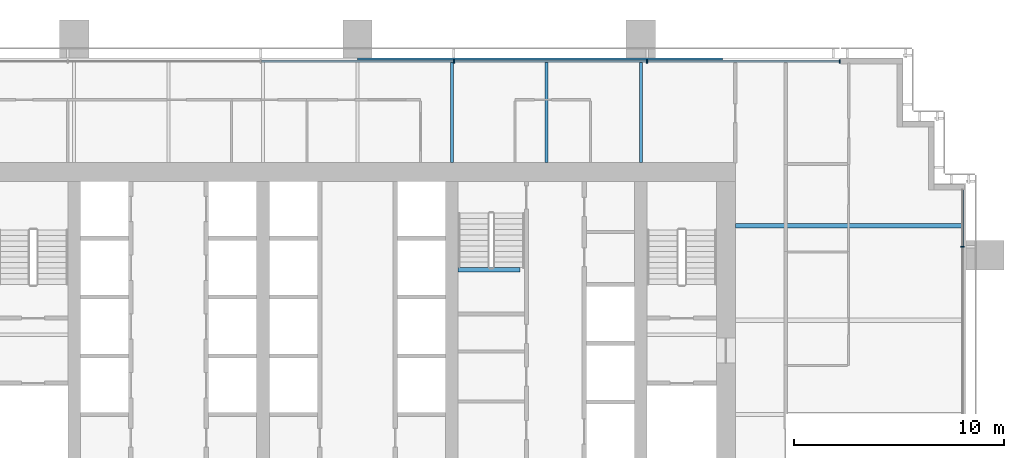
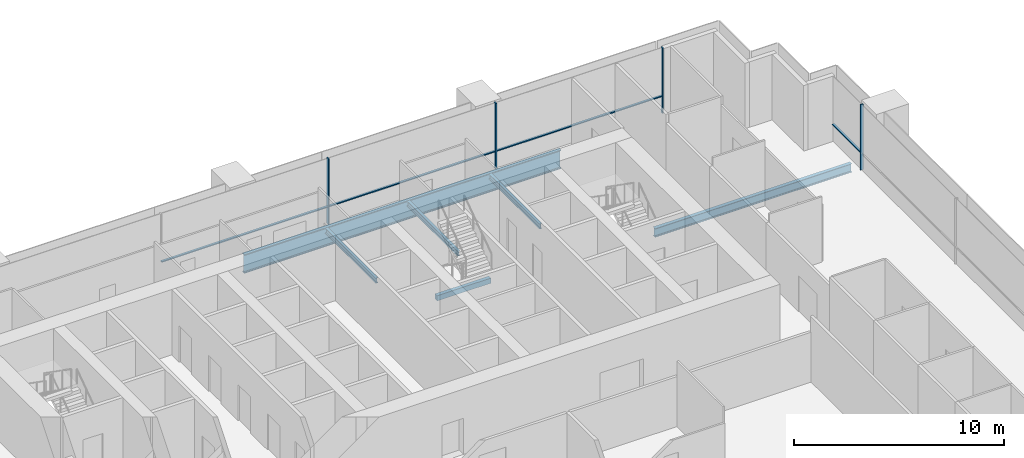
# One storey, part 8 of 17: 8 members, 6 beams, 2 elements without a shape of their own.
"""IFC4 building model written with IfcOpenShell, lengths in metres."""

from ifc_helpers import new_model, si_unit, direction, frame, origin, origin_2d, place, context, subcontext, project, spatial, rectangle, i_section, extrude, material, material_profile, profile_set, type_object, element, aggregate, save


model = new_model("IFC4")

# Units and contexts
model_context = context("Model", 3, precision=1e-05, world=origin(), true_north=direction((0.0, 1.0)))
body_context = subcontext(model_context, "Body", "Model", "MODEL_VIEW")
ifc_project = project(units=[si_unit("LENGTHUNIT", "METRE"), si_unit("AREAUNIT", "SQUARE_METRE"), si_unit("VOLUMEUNIT", "CUBIC_METRE"), si_unit("PLANEANGLEUNIT", "RADIAN"), si_unit("MASSUNIT", "GRAM", prefix="KILO")], contexts=[model_context])

# Site, building, storey
site_placement = place(None, origin())
site = spatial("IfcSite", under=ifc_project, at=site_placement, CompositionType="ELEMENT")
building_placement = place(site_placement, origin())
building = spatial("IfcBuilding", under=site, at=building_placement, Name="Rattan Terrace Tower", CompositionType="ELEMENT")
storey_placement = place(building_placement, frame((0.0, 0.0, 146.10009765625)))
storey = spatial("IfcBuildingStorey", under=building, at=storey_placement, Name="L33", CompositionType="ELEMENT", Elevation=146.10009765625)

# Beam
ifc_material_1 = material(Name="Concrete C40/50", Category="concrete")
ifc_material_profile_1 = material_profile(ifc_material_1, rectangle(XDim=0.199951171875, YDim=0.300048828125, at=origin_2d()), Name="RC 200x300")
ifc_profile_set_1 = profile_set([ifc_material_profile_1], Name="Concrete C40/50")
beam_type_1 = type_object("IfcBeamType", Name="Core landing beam RC 200x300", PredefinedType="BEAM", material=ifc_profile_set_1)
beam_1_placement = place(storey_placement, frame((4.800048828125, 2.39990234375, 1.64990234375), z_axis=(1.0, 0.0, 0.0), x_axis=(0.0, 1.0, 0.0)))
element("IfcBeam", 1, at=beam_1_placement, inside=storey, type_object=beam_type_1, Name="st-S3-L33 landing 1 edge beam", PredefinedType="BEAM", context=body_context, shape_type="SweptSolid", body=[
    extrude(rectangle(XDim=0.199951171875, YDim=0.300048828125, at=origin_2d()), origin(), (0.0, 0.0, 1.0), 2.949951171875),
])

# Curtain wall, member
ifc_material_2 = material(Name="Aluminium and glass", Category="aluminium")
curtain_wall_type = type_object("IfcCurtainWallType", Name="Facade Unitised Curtain Wall", PredefinedType="NOTDEFINED", material=ifc_material_2)
curtain_wall_1_placement = place(storey_placement, origin())
curtain_wall_1 = element("IfcCurtainWall", 2, at=curtain_wall_1_placement, inside=storey, type_object=curtain_wall_type, Name="Curtain wall L33-1", PredefinedType="NOTDEFINED")
ifc_material_3 = material(Name="Aluminium", Category="aluminium")
ifc_material_profile_2 = material_profile(ifc_material_3, rectangle(XDim=0.06005859375, YDim=0.159912109375, at=origin_2d()), Name="Aluminium 60x160")
ifc_profile_set_2 = profile_set([ifc_material_profile_2], Name="Aluminium")
member_type_1 = type_object("IfcMemberType", Name="Facade CW Mullion 60x160", PredefinedType="MULLION", material=ifc_profile_set_2)
member_1_placement = place(storey_placement, frame((28.830078125, 3.5, 0.0), z_axis=(0.0, 0.0, 1.0), x_axis=(0.0, 1.0, 0.0)))
member_1 = element("IfcMember", 3, at=member_1_placement, type_object=member_type_1, Name="Mullion cwl-L33-001.4", PredefinedType="MULLION", context=body_context, shape_type="SweptSolid", body=[
    extrude(rectangle(XDim=0.06005859375, YDim=0.159912109375, at=origin_2d()), origin(), (0.0, 0.0, 1.0), 3.7998046875),
])

# Curtain wall, members
curtain_wall_2_placement = place(storey_placement, origin())
curtain_wall_2 = element("IfcCurtainWall", 4, at=curtain_wall_2_placement, inside=storey, type_object=curtain_wall_type, Name="Curtain wall L33-2", PredefinedType="NOTDEFINED")
member_2_placement = place(storey_placement, frame((22.969970703125, 12.330078125, 0.0), z_axis=(0.0, 0.0, 1.0), x_axis=(-1.0, 0.0, 0.0)))
member_2 = element("IfcMember", 5, at=member_2_placement, type_object=member_type_1, Name="Mullion cwl-L33-002.1", PredefinedType="MULLION", context=body_context, shape_type="SweptSolid", body=[
    extrude(rectangle(XDim=0.06005859375, YDim=0.159912109375, at=origin_2d()), origin(), (0.0, 0.0, 1.0), 3.7998046875),
])
member_3_placement = place(storey_placement, frame((13.799072265625, 12.330078125, 0.0), z_axis=(0.0, 0.0, 1.0), x_axis=(-1.0, 0.0, 0.0)))
member_3 = element("IfcMember", 6, at=member_3_placement, type_object=member_type_1, Name="Mullion cwl-L33-002.2", PredefinedType="MULLION", context=body_context, shape_type="SweptSolid", body=[
    extrude(rectangle(XDim=0.06005859375, YDim=0.159912109375, at=origin_2d()), origin(), (0.0, 0.0, 1.0), 3.7998046875),
])
member_4_placement = place(storey_placement, frame((4.597900390625, 12.330078125, 0.0), z_axis=(0.0, 0.0, 1.0), x_axis=(-1.0, 0.0, 0.0)))
member_4 = element("IfcMember", 7, at=member_4_placement, type_object=member_type_1, Name="Mullion cwl-L33-002.3", PredefinedType="MULLION", context=body_context, shape_type="SweptSolid", body=[
    extrude(rectangle(XDim=0.06005859375, YDim=0.159912109375, at=origin_2d()), origin(), (0.0, 0.0, 1.0), 3.7998046875),
])

# Member
ifc_material_4 = material(Name="Aluminium", Category="aluminium")
ifc_material_profile_3 = material_profile(ifc_material_4, rectangle(XDim=0.1201171875, YDim=0.06005859375, at=origin_2d()), Name="Aluminium 120x60")
ifc_profile_set_3 = profile_set([ifc_material_profile_3], Name="Aluminium")
member_type_2 = type_object("IfcMemberType", Name="Facade CW Transom 120x60", PredefinedType="USERDEFINED", material=ifc_profile_set_3)
member_5_placement = place(storey_placement, frame((28.830078125, 3.530029296875, 1.0), z_axis=(0.0, 1.0, 0.0), x_axis=(-1.0, 0.0, 0.0)))
member_5 = element("IfcMember", 8, at=member_5_placement, type_object=member_type_2, Name="Transom cwl-L33-001.4", ObjectType="TRANSOM", PredefinedType="USERDEFINED", context=body_context, shape_type="SweptSolid", body=[
    extrude(rectangle(XDim=0.1201171875, YDim=0.06005859375, at=origin_2d()), origin(), (0.0, 0.0, 1.0), 2.675048828125),
])

aggregate(curtain_wall_1, [member_1, member_5])

member_6_placement = place(storey_placement, frame((22.93994140625, 12.330078125, 1.0), z_axis=(-1.0, 0.0, 0.0), x_axis=(0.0, -1.0, 0.0)))
member_6 = element("IfcMember", 9, at=member_6_placement, type_object=member_type_2, Name="Transom cwl-L33-002.1", ObjectType="TRANSOM", PredefinedType="USERDEFINED", context=body_context, shape_type="SweptSolid", body=[
    extrude(rectangle(XDim=0.1201171875, YDim=0.06005859375, at=origin_2d()), origin(), (0.0, 0.0, 1.0), 9.11083984375),
])

member_7_placement = place(storey_placement, frame((13.76904296875, 12.330078125, 1.0), z_axis=(-1.0, 0.0, 0.0), x_axis=(0.0, -1.0, 0.0)))
member_7 = element("IfcMember", 10, at=member_7_placement, type_object=member_type_2, Name="Transom cwl-L33-002.2", ObjectType="TRANSOM", PredefinedType="USERDEFINED", context=body_context, shape_type="SweptSolid", body=[
    extrude(rectangle(XDim=0.1201171875, YDim=0.06005859375, at=origin_2d()), origin(), (0.0, 0.0, 1.0), 9.14111328125),
])

member_8_placement = place(storey_placement, frame((4.568115234375, 12.330078125, 1.0), z_axis=(-1.0, 0.0, 0.0), x_axis=(0.0, -1.0, 0.0)))
member_8 = element("IfcMember", 11, at=member_8_placement, type_object=member_type_2, Name="Transom cwl-L33-002.3", ObjectType="TRANSOM", PredefinedType="USERDEFINED", context=body_context, shape_type="SweptSolid", body=[
    extrude(rectangle(XDim=0.1201171875, YDim=0.06005859375, at=origin_2d()), origin(), (0.0, 0.0, 1.0), 9.14111328125),
])

aggregate(curtain_wall_2, [member_2, member_3, member_4, member_6, member_7, member_8])

# Beams
ifc_material_5 = material(Name="Steel S460", Category="steel")
ifc_material_profile_4 = material_profile(ifc_material_5, i_section(OverallWidth=0.179931640625, OverallDepth=1.10009765625, WebThickness=0.01611328125, FlangeThickness=0.050048828125, at=origin_2d()), Name="PG 1100x180-16-50")
ifc_profile_set_4 = profile_set([ifc_material_profile_4], Name="Steel S460")
beam_type_2 = type_object("IfcBeamType", Name="Frame edge girder PG 1100x180-16-50", PredefinedType="SPANDREL", material=ifc_profile_set_4)
beam_2_placement = place(storey_placement, frame((17.39990234375, 12.409912109375, -0.75), z_axis=(-1.0, 0.0, 0.0), x_axis=(0.0, -1.0, 0.0)))
element("IfcBeam", 12, at=beam_2_placement, inside=storey, type_object=beam_type_2, Name="gdr-L33-006", PredefinedType="SPANDREL", context=body_context, shape_type="SweptSolid", body=[
    extrude(i_section(OverallWidth=0.179931640625, OverallDepth=1.10009765625, WebThickness=0.01611328125, FlangeThickness=0.050048828125, at=origin_2d()), origin(), (0.0, 0.0, 1.0), 17.39990234375),
])
ifc_material_6 = material(Name="Steel S355", Category="steel")
ifc_material_profile_5 = material_profile(ifc_material_6, i_section(OverallWidth=0.14990234375, OverallDepth=0.300048828125, WebThickness=0.007080078125, FlangeThickness=0.0107421875, FilletRadius=0.014892578125, at=origin_2d()), Name="IPE 300")
ifc_profile_set_5 = profile_set([ifc_material_profile_5], Name="Steel S355")
beam_type_3 = type_object("IfcBeamType", Name="Frame floor beam IPE 300", PredefinedType="JOIST", material=ifc_profile_set_5)
for number, where, z_axis, x_axis, name in (
    (13, (4.5, 7.5, -0.35009765625), (0.0, 1.0, 0.0), (-1.0, 0.0, 0.0), "bm-L33-020"),
    (14, (9.0, 7.5, -0.35009765625), (0.0, 1.0, 0.0), (-1.0, 0.0, 0.0), "bm-L33-021"),
    (15, (13.5, 7.5, -0.35009765625), (0.0, 1.0, 0.0), (-1.0, 0.0, 0.0), "bm-L33-022"),
):
    element("IfcBeam", number, at=place(storey_placement, frame(where, z_axis=z_axis, x_axis=x_axis)), inside=storey, type_object=beam_type_3, Name=name, PredefinedType="JOIST", context=body_context, shape_type="SweptSolid", body=[
        extrude(i_section(OverallWidth=0.14990234375, OverallDepth=0.300048828125, WebThickness=0.007080078125, FlangeThickness=0.0107421875, FilletRadius=0.014892578125, at=origin_2d()), origin(), (0.0, 0.0, 1.0), 4.820068359375),
    ])
ifc_material_7 = material(Name="Steel S355", Category="steel")
ifc_material_profile_6 = material_profile(ifc_material_7, i_section(OverallWidth=0.199951171875, OverallDepth=0.5, WebThickness=0.01025390625, FlangeThickness=0.01611328125, FilletRadius=0.02099609375, at=origin_2d()), Name="IPE 500")
ifc_profile_set_6 = profile_set([ifc_material_profile_6], Name="Steel S355")
beam_type_4 = type_object("IfcBeamType", Name="Frame floor beam IPE 500", PredefinedType="JOIST", material=ifc_profile_set_6)
beam_3_placement = place(storey_placement, frame((18.0, 4.5, -0.4501953125), z_axis=(1.0, 0.0, 0.0), x_axis=(0.0, 1.0, 0.0)))
element("IfcBeam", 16, at=beam_3_placement, inside=storey, type_object=beam_type_4, Name="bm-L33-015", PredefinedType="JOIST", context=body_context, shape_type="SweptSolid", body=[
    extrude(i_section(OverallWidth=0.199951171875, OverallDepth=0.5, WebThickness=0.01025390625, FlangeThickness=0.01611328125, FilletRadius=0.02099609375, at=origin_2d()), origin(), (0.0, 0.0, 1.0), 10.820068359375),
])

save(model, "model.ifc")
